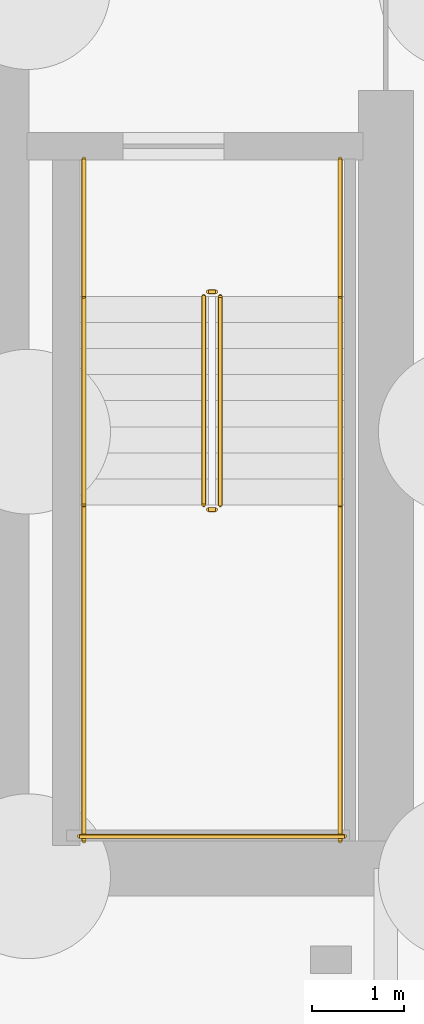
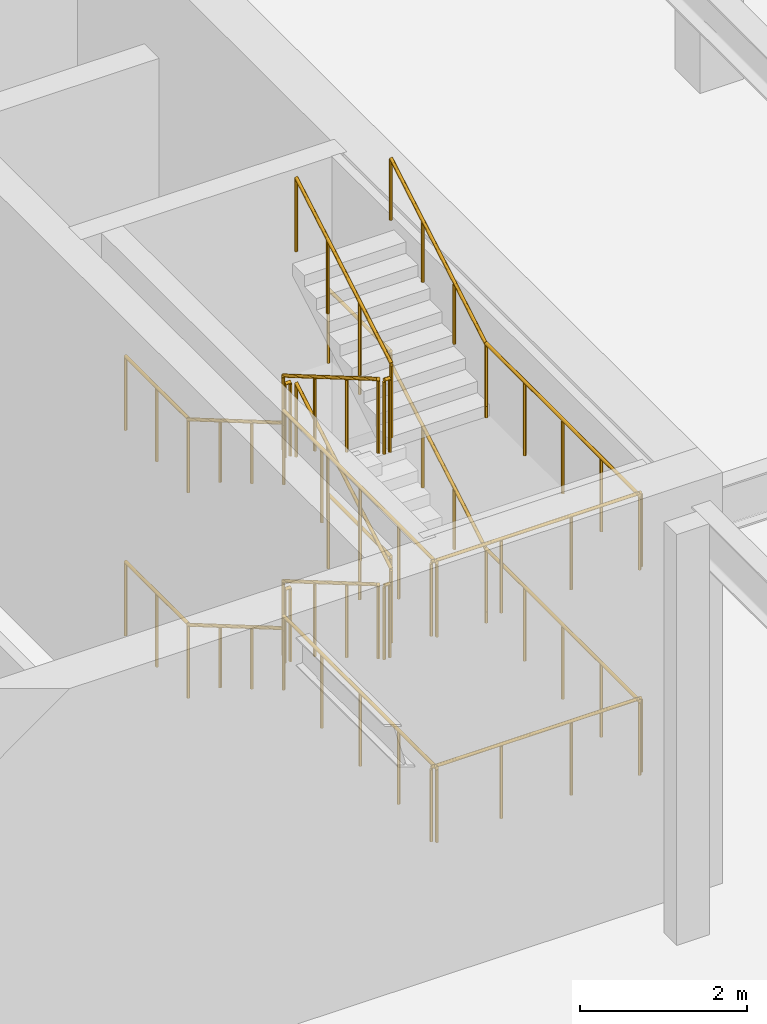
# One storey, part 9 of 12: 22 railings.
"""IFC4 building model written with IfcOpenShell, lengths in metres."""

import ifcopenshell
import ifcopenshell.guid

model = None  # the IFC model being written
_history = None  # IfcOwnerHistory: only IFC2X3 demands one
_inside = {}  # id of a spatial element -> (the spatial element, [elements in it])
_under = {}  # id of a project, library or spatial element -> (it, [spatial elements below it])
_declared = {}  # id of a project -> (the project, [libraries it declares])
_typed = {}  # id of a type object -> (the type object, [elements of that type])
_made_of = {}  # id of a material, layer set ... -> (it, [elements and type objects made of it])


def new_model(schema):
    """Start an empty IFC model of exactly this schema.

    Asked for "IFC4X3", IfcOpenShell would pick the latest addendum, in which some entities
    have other attributes; the version numbers below select the first issue.
    IFC2X3 requires an IfcOwnerHistory on every rooted entity: one is made here for all.
    """
    global model, _history
    if schema == "IFC4X3":
        model = ifcopenshell.file(schema_version=(4, 3, 0, 0))
    else:
        model = ifcopenshell.file(schema=schema)
    _inside.clear()
    _under.clear()
    _declared.clear()
    _typed.clear()
    _made_of.clear()
    _history = None
    if model.schema == "IFC2X3":
        org = make("IfcOrganization", Name="unknown")
        user = make(
            "IfcPersonAndOrganization",
            ThePerson=make("IfcPerson", FamilyName="unknown"),
            TheOrganization=org,
        )
        app = make(
            "IfcApplication",
            ApplicationDeveloper=org,
            Version="unknown",
            ApplicationFullName="unknown",
            ApplicationIdentifier="unknown",
        )
        _history = make(
            "IfcOwnerHistory",
            OwningUser=user,
            OwningApplication=app,
            ChangeAction="ADDED",
            CreationDate=0,
        )
    return model


def make(cls, **values):
    """One entity of the class cls with the attributes given. An attribute that is None is left unset."""
    return model.create_entity(
        cls, **{name: value for name, value in values.items() if value is not None}
    )


def rooted(cls, **values):
    """An entity with a GlobalId (a new one), such as an element, a storey or a relation."""
    return make(cls, GlobalId=ifcopenshell.guid.new(), OwnerHistory=_history, **values)


def si_unit(unit_type, name, prefix=None):
    """IfcSIUnit, for example si_unit("LENGTHUNIT", "METRE", prefix="MILLI")."""
    return make("IfcSIUnit", UnitType=unit_type, Prefix=prefix, Name=name)


def assignment(units):
    """IfcUnitAssignment: the units of a project."""
    return None if units is None else make("IfcUnitAssignment", Units=units)


def point(xyz):
    """IfcCartesianPoint."""
    return None if xyz is None else make("IfcCartesianPoint", Coordinates=xyz)


def direction(xyz):
    """IfcDirection."""
    return None if xyz is None else make("IfcDirection", DirectionRatios=xyz)


def frame(location, z_axis=None, x_axis=None):
    """IfcAxis2Placement3D, a coordinate frame: its origin and axes. An axis left out is left unset."""
    return make(
        "IfcAxis2Placement3D",
        Location=point(location),
        Axis=direction(z_axis),
        RefDirection=direction(x_axis),
    )


def frame_2d(location, x_axis=None):
    """IfcAxis2Placement2D, a coordinate frame in the plane: its origin and x axis."""
    return make(
        "IfcAxis2Placement2D", Location=point(location), RefDirection=direction(x_axis)
    )


def origin():
    """The frame at (0, 0, 0) with its axes left unset."""
    return frame((0.0, 0.0, 0.0))


def origin_2d():
    """The frame at (0, 0) in the plane with its x axis left unset."""
    return frame_2d((0.0, 0.0))


def place(relative_to, where):
    """IfcLocalPlacement: puts the frame where relative to a parent placement (None: the world)."""
    return make(
        "IfcLocalPlacement", PlacementRelTo=relative_to, RelativePlacement=where
    )


def context(
    kind, dimensions, precision=None, world=None, true_north=None, identifier=None
):
    """IfcGeometricRepresentationContext, for example the 3D "Model" context."""
    return make(
        "IfcGeometricRepresentationContext",
        ContextIdentifier=identifier,
        ContextType=kind,
        CoordinateSpaceDimension=dimensions,
        Precision=precision,
        WorldCoordinateSystem=world,
        TrueNorth=true_north,
    )


def subcontext(parent, identifier, kind, view, scale=None):
    """IfcGeometricRepresentationSubContext, for example "Body" below "Model"."""
    return make(
        "IfcGeometricRepresentationSubContext",
        ContextIdentifier=identifier,
        ContextType=kind,
        ParentContext=parent,
        TargetScale=scale,
        TargetView=view,
    )


def project(units=None, contexts=None):
    """IfcProject with its units and contexts."""
    return rooted(
        "IfcProject",
        Name="project",
        RepresentationContexts=contexts,
        UnitsInContext=assignment(units),
    )


def spatial(cls, under=None, at=None, **own):
    """A site, building, storey or space (cls), placed at a placement, below another one or the project."""
    s = rooted(cls, ObjectPlacement=at, **own)
    if under is not None:
        _under.setdefault(under.id(), (under, []))[1].append(s)
    return s


def profile(cls, at=None, kind="AREA", **sizes):
    """A parametric profile (cls). Its sizes go by their IFC names, for example OverallWidth=200.0."""
    return make(cls, ProfileType=kind, Position=at, **sizes)


def circle(**sizes):
    """IfcCircleProfileDef."""
    return profile("IfcCircleProfileDef", **sizes)


def extrude(swept, where, along, depth):
    """IfcExtrudedAreaSolid: the profile swept, set in the frame where, extruded along a direction by depth."""
    return make(
        "IfcExtrudedAreaSolid",
        SweptArea=swept,
        Position=where,
        ExtrudedDirection=direction(along),
        Depth=depth,
    )


def shape(context_of_items, identifier, shape_type, items):
    """IfcShapeRepresentation: the items that make up one representation, for example the "Body"."""
    return make(
        "IfcShapeRepresentation",
        ContextOfItems=context_of_items,
        RepresentationIdentifier=identifier,
        RepresentationType=shape_type,
        Items=items,
    )


def material(Name=None, Category=None):
    """IfcMaterial."""
    return make("IfcMaterial", Name=Name, Category=Category)


def made_of(thing, what):
    """Note that an element or type object is made of a material, layer set ...; save() writes the relation."""
    if what is not None:
        _made_of.setdefault(what.id(), (what, []))[1].append(thing)
    return thing


def type_object(cls, material=None, **own):
    """A type object (cls), such as IfcWallType, which elements share."""
    return made_of(rooted(cls, **own), material)


def element(
    cls,
    number,
    at=None,
    inside=None,
    cuts=None,
    type_object=None,
    material=None,
    context=None,
    identifier="Body",
    shape_type=None,
    held_by="IfcProductDefinitionShape",
    body=None,
    shapes=None,
    **own,
):
    """One element of the class cls, such as IfcWall. Its Tag is "e" and its number.

    at: its placement. inside: the storey or other place that contains it. cuts: it is an
    opening in that element (IfcRelVoidsElement). A single representation is given by context,
    identifier, shape_type and body (its items); several are given by shapes. held_by: the class
    of the entity that holds the representations. save() writes the other relations.
    """
    e = rooted(cls, Tag="e%d" % number, ObjectPlacement=at, **own)
    if body is not None:
        shapes = [shape(context, identifier, shape_type, body)]
    if shapes is not None:
        e.Representation = make(held_by, Representations=shapes)
    if inside is not None:
        _inside.setdefault(inside.id(), (inside, []))[1].append(e)
    if cuts is not None:
        rooted(
            "IfcRelVoidsElement", RelatingBuildingElement=cuts, RelatedOpeningElement=e
        )
    if type_object is not None:
        _typed.setdefault(type_object.id(), (type_object, []))[1].append(e)
    return made_of(e, material)


def aggregate(whole, parts):
    """IfcRelAggregates: a whole, such as a stair, and the parts it consists of."""
    return rooted("IfcRelAggregates", RelatingObject=whole, RelatedObjects=parts)


def save(model, path):
    """Write the relations noted so far, then the file.

    IfcRelAggregates (storeys below a building ...), IfcRelContainedInSpatialStructure (elements
    in a storey), IfcRelDefinesByType, IfcRelAssociatesMaterial and IfcRelDeclares: one each for
    every whole, place, type object, material and project.
    """
    for whole, parts in _under.values():
        aggregate(whole, parts)
    for where, things in _inside.values():
        rooted(
            "IfcRelContainedInSpatialStructure",
            RelatedElements=things,
            RelatingStructure=where,
        )
    for kind, things in _typed.values():
        rooted("IfcRelDefinesByType", RelatedObjects=things, RelatingType=kind)
    for what, things in _made_of.values():
        rooted("IfcRelAssociatesMaterial", RelatedObjects=things, RelatingMaterial=what)
    for by, libraries in _declared.values():
        rooted("IfcRelDeclares", RelatingContext=by, RelatedDefinitions=libraries)
    model.write(path)


model = new_model("IFC4")

# Units and contexts
model_context = context("Model", 3, precision=1e-05, world=origin(), true_north=direction((0.0, 1.0)))
body_context = subcontext(model_context, "Body", "Model", "MODEL_VIEW")
ifc_project = project(units=[si_unit("LENGTHUNIT", "METRE"), si_unit("AREAUNIT", "SQUARE_METRE"), si_unit("VOLUMEUNIT", "CUBIC_METRE"), si_unit("PLANEANGLEUNIT", "RADIAN"), si_unit("MASSUNIT", "GRAM", prefix="KILO")], contexts=[model_context])

# Site, building, storey
site_placement = place(None, origin())
site = spatial("IfcSite", under=ifc_project, at=site_placement, CompositionType="ELEMENT")
building_placement = place(site_placement, origin())
building = spatial("IfcBuilding", under=site, at=building_placement, Name="Bramvorn Convention Spire", CompositionType="ELEMENT")
storey_placement = place(building_placement, frame((0.0, 0.0, -6.0)))
storey = spatial("IfcBuildingStorey", under=building, at=storey_placement, Name="B1", CompositionType="ELEMENT", Elevation=-6.0)

# Railings
ifc_material_1 = material(Name="Painted Steel Balustrade & Guardrail", Category="steel")
railing_type_1 = type_object("IfcRailingType", Name="RL-STAIR-GUARD-1100", PredefinedType="GUARDRAIL", material=ifc_material_1)
railing_1_placement = place(storey_placement, frame((47.010009765625, 25.050048828125, 0.166748046875)))
element("IfcRailing", 1, at=railing_1_placement, inside=storey, type_object=railing_type_1, Name="B1 ST2 stair guard 1", PredefinedType="GUARDRAIL", context=body_context, shape_type="SweptSolid", body=[
    extrude(circle(Radius=0.02392578125, at=origin_2d()), frame((0.0, 0.0, 1.076171875), z_axis=(0.0, -0.863245362884, 0.504784551527), x_axis=(1.0, 0.0, 0.0)), (0.0, 0.0, 1.0), 2.64111328125),
    extrude(circle(Radius=0.02099609375, at=origin_2d()), origin(), (0.0, 0.0, 1.0), 1.052001953125),
    extrude(circle(Radius=0.02099609375, at=origin_2d()), frame((0.0, -0.760009765625, 0.4443359375)), (0.0, 0.0, 1.0), 1.052001953125),
    extrude(circle(Radius=0.02099609375, at=origin_2d()), frame((0.0, -1.52001953125, 0.888916015625)), (0.0, 0.0, 1.0), 1.052001953125),
    extrude(circle(Radius=0.02099609375, at=origin_2d()), frame((0.0, -2.280029296875, 1.333251953125)), (0.0, 0.0, 1.0), 1.052001953125),
])
railing_2_placement = place(storey_placement, frame((47.06005859375, 22.719970703125, 1.5)))
element("IfcRailing", 2, at=railing_2_placement, inside=storey, type_object=railing_type_1, Name="B1 ST2 stair guard 2", PredefinedType="GUARDRAIL", context=body_context, shape_type="SweptSolid", body=[
    extrude(circle(Radius=0.02392578125, at=origin_2d()), frame((0.0, 0.0, 1.076171875), z_axis=(1.0, 0.0, 0.0), x_axis=(0.0, 1.0, 0.0)), (0.0, 0.0, 1.0), 0.079833984375),
    extrude(circle(Radius=0.02099609375, at=origin_2d()), origin(), (0.0, 0.0, 1.0), 1.052001953125),
    extrude(circle(Radius=0.02099609375, at=origin_2d()), frame((0.079833984375, 0.0, 0.0)), (0.0, 0.0, 1.0), 1.052001953125),
])
for number, where, name in (
    (3, (45.699951171875, 22.77001953125, 1.5), "B1 ST2 stair guard 3"),
    (4, (48.5, 22.77001953125, 1.5), "B1 ST2 stair guard 4"),
):
    element("IfcRailing", number, at=place(storey_placement, frame(where)), inside=storey, type_object=railing_type_1, Name=name, PredefinedType="GUARDRAIL", context=body_context, shape_type="SweptSolid", body=[
        extrude(circle(Radius=0.02392578125, at=origin_2d()), frame((0.0, 0.0, 1.076171875), z_axis=(0.0, -1.0, 0.0), x_axis=(1.0, 0.0, 0.0)), (0.0, 0.0, 1.0), 3.669921875),
        extrude(circle(Radius=0.02099609375, at=origin_2d()), origin(), (0.0, 0.0, 1.0), 1.052001953125),
        extrude(circle(Radius=0.02099609375, at=origin_2d()), frame((0.0, -0.91748046875, 0.0)), (0.0, 0.0, 1.0), 1.052001953125),
        extrude(circle(Radius=0.02099609375, at=origin_2d()), frame((0.0, -1.8349609375, 0.0)), (0.0, 0.0, 1.0), 1.052001953125),
        extrude(circle(Radius=0.02099609375, at=origin_2d()), frame((0.0, -2.75244140625, 0.0)), (0.0, 0.0, 1.0), 1.052001953125),
        extrude(circle(Radius=0.02099609375, at=origin_2d()), frame((0.0, -3.669921875, 0.0)), (0.0, 0.0, 1.0), 1.052001953125),
    ])
railing_3_placement = place(storey_placement, frame((45.64990234375, 19.14990234375, 1.5)))
element("IfcRailing", 5, at=railing_3_placement, inside=storey, type_object=railing_type_1, Name="B1 ST2 stair guard 5", PredefinedType="GUARDRAIL", context=body_context, shape_type="SweptSolid", body=[
    extrude(circle(Radius=0.02392578125, at=origin_2d()), frame((0.0, 0.0, 1.076171875), z_axis=(1.0, 0.0, 0.0), x_axis=(0.0, 1.0, 0.0)), (0.0, 0.0, 1.0), 2.900146484375),
    extrude(circle(Radius=0.02099609375, at=origin_2d()), origin(), (0.0, 0.0, 1.0), 1.052001953125),
    extrude(circle(Radius=0.02099609375, at=origin_2d()), frame((0.966796875, 0.0, 0.0)), (0.0, 0.0, 1.0), 1.052001953125),
    extrude(circle(Radius=0.02099609375, at=origin_2d()), frame((1.933349609375, 0.0, 0.0)), (0.0, 0.0, 1.0), 1.052001953125),
    extrude(circle(Radius=0.02099609375, at=origin_2d()), frame((2.900146484375, 0.0, 0.0)), (0.0, 0.0, 1.0), 1.052001953125),
])
railing_4_placement = place(storey_placement, frame((47.18994140625, 22.77001953125, 1.666748046875)))
element("IfcRailing", 6, at=railing_4_placement, inside=storey, type_object=railing_type_1, Name="B1 ST2 stair guard 6", PredefinedType="GUARDRAIL", context=body_context, shape_type="SweptSolid", body=[
    extrude(circle(Radius=0.02392578125, at=origin_2d()), frame((0.0, 0.0, 1.076171875), z_axis=(0.0, 0.863245362884, 0.504784551527), x_axis=(-1.0, 0.0, 0.0)), (0.0, 0.0, 1.0), 2.64111328125),
    extrude(circle(Radius=0.02099609375, at=origin_2d()), origin(), (0.0, 0.0, 1.0), 1.052001953125),
    extrude(circle(Radius=0.02099609375, at=origin_2d()), frame((0.0, 0.760009765625, 0.4443359375)), (0.0, 0.0, 1.0), 1.052001953125),
    extrude(circle(Radius=0.02099609375, at=origin_2d()), frame((0.0, 1.52001953125, 0.888916015625)), (0.0, 0.0, 1.0), 1.052001953125),
    extrude(circle(Radius=0.02099609375, at=origin_2d()), frame((0.0, 2.280029296875, 1.333251953125)), (0.0, 0.0, 1.0), 1.052001953125),
])
railing_5_placement = place(storey_placement, frame((47.06005859375, 25.10009765625, 3.0)))
element("IfcRailing", 7, at=railing_5_placement, inside=storey, type_object=railing_type_1, Name="B1 ST2 stair guard 7", PredefinedType="GUARDRAIL", context=body_context, shape_type="SweptSolid", body=[
    extrude(circle(Radius=0.02392578125, at=origin_2d()), frame((0.0, 0.0, 1.076171875), z_axis=(1.0, 0.0, 0.0), x_axis=(0.0, 1.0, 0.0)), (0.0, 0.0, 1.0), 0.079833984375),
    extrude(circle(Radius=0.02099609375, at=origin_2d()), origin(), (0.0, 0.0, 1.0), 1.052001953125),
    extrude(circle(Radius=0.02099609375, at=origin_2d()), frame((0.079833984375, 0.0, 0.0)), (0.0, 0.0, 1.0), 1.052001953125),
])
for number, where, name in (
    (8, (45.699951171875, 26.550048828125, 3.0), "B1 ST2 stair guard 8"),
    (9, (48.5, 26.550048828125, 3.0), "B1 ST2 stair guard 9"),
):
    element("IfcRailing", number, at=place(storey_placement, frame(where)), inside=storey, type_object=railing_type_1, Name=name, PredefinedType="GUARDRAIL", context=body_context, shape_type="SweptSolid", body=[
        extrude(circle(Radius=0.02392578125, at=origin_2d()), frame((0.0, 0.0, 1.076171875), z_axis=(0.0, -1.0, 0.0), x_axis=(1.0, 0.0, 0.0)), (0.0, 0.0, 1.0), 1.5),
        extrude(circle(Radius=0.02099609375, at=origin_2d()), origin(), (0.0, 0.0, 1.0), 1.052001953125),
        extrude(circle(Radius=0.02099609375, at=origin_2d()), frame((0.0, -0.75, 0.0)), (0.0, 0.0, 1.0), 1.052001953125),
        extrude(circle(Radius=0.02099609375, at=origin_2d()), frame((0.0, -1.5, 0.0)), (0.0, 0.0, 1.0), 1.052001953125),
    ])
railing_6_placement = place(storey_placement, frame((47.010009765625, 25.050048828125, 3.166748046875)))
element("IfcRailing", 10, at=railing_6_placement, inside=storey, type_object=railing_type_1, Name="B1 ST2 stair guard 10", PredefinedType="GUARDRAIL", context=body_context, shape_type="SweptSolid", body=[
    extrude(circle(Radius=0.02392578125, at=origin_2d()), frame((0.0, 0.0, 1.076171875), z_axis=(0.0, -0.863245362884, 0.504784551527), x_axis=(1.0, 0.0, 0.0)), (0.0, 0.0, 1.0), 2.64111328125),
    extrude(circle(Radius=0.02099609375, at=origin_2d()), origin(), (0.0, 0.0, 1.0), 1.052001953125),
    extrude(circle(Radius=0.02099609375, at=origin_2d()), frame((0.0, -0.760009765625, 0.4443359375)), (0.0, 0.0, 1.0), 1.052001953125),
    extrude(circle(Radius=0.02099609375, at=origin_2d()), frame((0.0, -1.52001953125, 0.888916015625)), (0.0, 0.0, 1.0), 1.052001953125),
    extrude(circle(Radius=0.02099609375, at=origin_2d()), frame((0.0, -2.280029296875, 1.333251953125)), (0.0, 0.0, 1.0), 1.052001953125),
])
railing_7_placement = place(storey_placement, frame((47.06005859375, 22.719970703125, 4.5)))
element("IfcRailing", 11, at=railing_7_placement, inside=storey, type_object=railing_type_1, Name="B1 ST2 stair guard 11", PredefinedType="GUARDRAIL", context=body_context, shape_type="SweptSolid", body=[
    extrude(circle(Radius=0.02392578125, at=origin_2d()), frame((0.0, 0.0, 1.076171875), z_axis=(1.0, 0.0, 0.0), x_axis=(0.0, 1.0, 0.0)), (0.0, 0.0, 1.0), 0.079833984375),
    extrude(circle(Radius=0.02099609375, at=origin_2d()), origin(), (0.0, 0.0, 1.0), 1.052001953125),
    extrude(circle(Radius=0.02099609375, at=origin_2d()), frame((0.079833984375, 0.0, 0.0)), (0.0, 0.0, 1.0), 1.052001953125),
])
for number, where, name in (
    (12, (45.699951171875, 22.77001953125, 4.5), "B1 ST2 stair guard 12"),
    (13, (48.5, 22.77001953125, 4.5), "B1 ST2 stair guard 13"),
):
    element("IfcRailing", number, at=place(storey_placement, frame(where)), inside=storey, type_object=railing_type_1, Name=name, PredefinedType="GUARDRAIL", context=body_context, shape_type="SweptSolid", body=[
        extrude(circle(Radius=0.02392578125, at=origin_2d()), frame((0.0, 0.0, 1.076171875), z_axis=(0.0, -1.0, 0.0), x_axis=(1.0, 0.0, 0.0)), (0.0, 0.0, 1.0), 3.669921875),
        extrude(circle(Radius=0.02099609375, at=origin_2d()), origin(), (0.0, 0.0, 1.0), 1.052001953125),
        extrude(circle(Radius=0.02099609375, at=origin_2d()), frame((0.0, -0.91748046875, 0.0)), (0.0, 0.0, 1.0), 1.052001953125),
        extrude(circle(Radius=0.02099609375, at=origin_2d()), frame((0.0, -1.8349609375, 0.0)), (0.0, 0.0, 1.0), 1.052001953125),
        extrude(circle(Radius=0.02099609375, at=origin_2d()), frame((0.0, -2.75244140625, 0.0)), (0.0, 0.0, 1.0), 1.052001953125),
        extrude(circle(Radius=0.02099609375, at=origin_2d()), frame((0.0, -3.669921875, 0.0)), (0.0, 0.0, 1.0), 1.052001953125),
    ])
railing_8_placement = place(storey_placement, frame((45.64990234375, 19.14990234375, 4.5)))
element("IfcRailing", 14, at=railing_8_placement, inside=storey, type_object=railing_type_1, Name="B1 ST2 stair guard 14", PredefinedType="GUARDRAIL", context=body_context, shape_type="SweptSolid", body=[
    extrude(circle(Radius=0.02392578125, at=origin_2d()), frame((0.0, 0.0, 1.076171875), z_axis=(1.0, 0.0, 0.0), x_axis=(0.0, 1.0, 0.0)), (0.0, 0.0, 1.0), 2.900146484375),
    extrude(circle(Radius=0.02099609375, at=origin_2d()), origin(), (0.0, 0.0, 1.0), 1.052001953125),
    extrude(circle(Radius=0.02099609375, at=origin_2d()), frame((0.966796875, 0.0, 0.0)), (0.0, 0.0, 1.0), 1.052001953125),
    extrude(circle(Radius=0.02099609375, at=origin_2d()), frame((1.933349609375, 0.0, 0.0)), (0.0, 0.0, 1.0), 1.052001953125),
    extrude(circle(Radius=0.02099609375, at=origin_2d()), frame((2.900146484375, 0.0, 0.0)), (0.0, 0.0, 1.0), 1.052001953125),
])
railing_9_placement = place(storey_placement, frame((47.18994140625, 22.77001953125, 4.666748046875)))
element("IfcRailing", 15, at=railing_9_placement, inside=storey, type_object=railing_type_1, Name="B1 ST2 stair guard 15", PredefinedType="GUARDRAIL", context=body_context, shape_type="SweptSolid", body=[
    extrude(circle(Radius=0.02392578125, at=origin_2d()), frame((0.0, 0.0, 1.076171875), z_axis=(0.0, 0.863245362884, 0.504784551527), x_axis=(-1.0, 0.0, 0.0)), (0.0, 0.0, 1.0), 2.64111328125),
    extrude(circle(Radius=0.02099609375, at=origin_2d()), origin(), (0.0, 0.0, 1.0), 1.052001953125),
    extrude(circle(Radius=0.02099609375, at=origin_2d()), frame((0.0, 0.760009765625, 0.4443359375)), (0.0, 0.0, 1.0), 1.052001953125),
    extrude(circle(Radius=0.02099609375, at=origin_2d()), frame((0.0, 1.52001953125, 0.888916015625)), (0.0, 0.0, 1.0), 1.052001953125),
    extrude(circle(Radius=0.02099609375, at=origin_2d()), frame((0.0, 2.280029296875, 1.333251953125)), (0.0, 0.0, 1.0), 1.052001953125),
])
railing_10_placement = place(storey_placement, frame((47.06005859375, 25.10009765625, 0.0)))
element("IfcRailing", 16, at=railing_10_placement, inside=storey, type_object=railing_type_1, Name="B1 ST2 stair guard 16", PredefinedType="GUARDRAIL", context=body_context, shape_type="SweptSolid", body=[
    extrude(circle(Radius=0.02392578125, at=origin_2d()), frame((0.0, 0.0, 1.076171875), z_axis=(1.0, 0.0, 0.0), x_axis=(0.0, 1.0, 0.0)), (0.0, 0.0, 1.0), 0.079833984375),
    extrude(circle(Radius=0.02099609375, at=origin_2d()), origin(), (0.0, 0.0, 1.0), 1.052001953125),
    extrude(circle(Radius=0.02099609375, at=origin_2d()), frame((0.079833984375, 0.0, 0.0)), (0.0, 0.0, 1.0), 1.052001953125),
])
for number, where, name in (
    (17, (45.699951171875, 26.550048828125, 0.0), "B1 ST2 stair guard 17"),
    (18, (48.5, 26.550048828125, 0.0), "B1 ST2 stair guard 18"),
):
    element("IfcRailing", number, at=place(storey_placement, frame(where)), inside=storey, type_object=railing_type_1, Name=name, PredefinedType="GUARDRAIL", context=body_context, shape_type="SweptSolid", body=[
        extrude(circle(Radius=0.02392578125, at=origin_2d()), frame((0.0, 0.0, 1.076171875), z_axis=(0.0, -1.0, 0.0), x_axis=(1.0, 0.0, 0.0)), (0.0, 0.0, 1.0), 1.5),
        extrude(circle(Radius=0.02099609375, at=origin_2d()), origin(), (0.0, 0.0, 1.0), 1.052001953125),
        extrude(circle(Radius=0.02099609375, at=origin_2d()), frame((0.0, -0.75, 0.0)), (0.0, 0.0, 1.0), 1.052001953125),
        extrude(circle(Radius=0.02099609375, at=origin_2d()), frame((0.0, -1.5, 0.0)), (0.0, 0.0, 1.0), 1.052001953125),
    ])
ifc_material_2 = material(Name="Brushed Bronze Tubular Handrail", Category="aluminium")
railing_type_2 = type_object("IfcRailingType", Name="RL-STAIR-HR-920", PredefinedType="HANDRAIL", material=ifc_material_2)
railing_11_placement = place(storey_placement, frame((45.699951171875, 25.050048828125, 0.166748046875)))
element("IfcRailing", 19, at=railing_11_placement, inside=storey, type_object=railing_type_2, Name="B1 ST2 stair handrail 1", PredefinedType="HANDRAIL", context=body_context, shape_type="SweptSolid", body=[
    extrude(circle(Radius=0.02392578125, at=origin_2d()), frame((0.0, 0.0, 0.89599609375), z_axis=(0.0, -0.863245362884, 0.504784551527), x_axis=(1.0, 0.0, 0.0)), (0.0, 0.0, 1.0), 2.64111328125),
    extrude(circle(Radius=0.02099609375, at=origin_2d()), origin(), (0.0, 0.0, 1.0), 0.871826171875),
    extrude(circle(Radius=0.02099609375, at=origin_2d()), frame((0.0, -0.760009765625, 0.4443359375)), (0.0, 0.0, 1.0), 0.871826171875),
    extrude(circle(Radius=0.02099609375, at=origin_2d()), frame((0.0, -1.52001953125, 0.888916015625)), (0.0, 0.0, 1.0), 0.871826171875),
    extrude(circle(Radius=0.02099609375, at=origin_2d()), frame((0.0, -2.280029296875, 1.333251953125)), (0.0, 0.0, 1.0), 0.871826171875),
])
railing_12_placement = place(storey_placement, frame((48.5, 22.77001953125, 1.666748046875)))
element("IfcRailing", 20, at=railing_12_placement, inside=storey, type_object=railing_type_2, Name="B1 ST2 stair handrail 2", PredefinedType="HANDRAIL", context=body_context, shape_type="SweptSolid", body=[
    extrude(circle(Radius=0.02392578125, at=origin_2d()), frame((0.0, 0.0, 0.89599609375), z_axis=(0.0, 0.863245362884, 0.504784551527), x_axis=(-1.0, 0.0, 0.0)), (0.0, 0.0, 1.0), 2.64111328125),
    extrude(circle(Radius=0.02099609375, at=origin_2d()), origin(), (0.0, 0.0, 1.0), 0.871826171875),
    extrude(circle(Radius=0.02099609375, at=origin_2d()), frame((0.0, 0.760009765625, 0.4443359375)), (0.0, 0.0, 1.0), 0.871826171875),
    extrude(circle(Radius=0.02099609375, at=origin_2d()), frame((0.0, 1.52001953125, 0.888916015625)), (0.0, 0.0, 1.0), 0.871826171875),
    extrude(circle(Radius=0.02099609375, at=origin_2d()), frame((0.0, 2.280029296875, 1.333251953125)), (0.0, 0.0, 1.0), 0.871826171875),
])
railing_13_placement = place(storey_placement, frame((45.699951171875, 25.050048828125, 3.166748046875)))
element("IfcRailing", 21, at=railing_13_placement, inside=storey, type_object=railing_type_2, Name="B1 ST2 stair handrail 3", PredefinedType="HANDRAIL", context=body_context, shape_type="SweptSolid", body=[
    extrude(circle(Radius=0.02392578125, at=origin_2d()), frame((0.0, 0.0, 0.89599609375), z_axis=(0.0, -0.863245362884, 0.504784551527), x_axis=(1.0, 0.0, 0.0)), (0.0, 0.0, 1.0), 2.64111328125),
    extrude(circle(Radius=0.02099609375, at=origin_2d()), origin(), (0.0, 0.0, 1.0), 0.871826171875),
    extrude(circle(Radius=0.02099609375, at=origin_2d()), frame((0.0, -0.760009765625, 0.4443359375)), (0.0, 0.0, 1.0), 0.871826171875),
    extrude(circle(Radius=0.02099609375, at=origin_2d()), frame((0.0, -1.52001953125, 0.888916015625)), (0.0, 0.0, 1.0), 0.871826171875),
    extrude(circle(Radius=0.02099609375, at=origin_2d()), frame((0.0, -2.280029296875, 1.333251953125)), (0.0, 0.0, 1.0), 0.871826171875),
])
railing_14_placement = place(storey_placement, frame((48.5, 22.77001953125, 4.666748046875)))
element("IfcRailing", 22, at=railing_14_placement, inside=storey, type_object=railing_type_2, Name="B1 ST2 stair handrail 4", PredefinedType="HANDRAIL", context=body_context, shape_type="SweptSolid", body=[
    extrude(circle(Radius=0.02392578125, at=origin_2d()), frame((0.0, 0.0, 0.89599609375), z_axis=(0.0, 0.863245362884, 0.504784551527), x_axis=(-1.0, 0.0, 0.0)), (0.0, 0.0, 1.0), 2.64111328125),
    extrude(circle(Radius=0.02099609375, at=origin_2d()), origin(), (0.0, 0.0, 1.0), 0.871826171875),
    extrude(circle(Radius=0.02099609375, at=origin_2d()), frame((0.0, 0.760009765625, 0.4443359375)), (0.0, 0.0, 1.0), 0.871826171875),
    extrude(circle(Radius=0.02099609375, at=origin_2d()), frame((0.0, 1.52001953125, 0.888916015625)), (0.0, 0.0, 1.0), 0.871826171875),
    extrude(circle(Radius=0.02099609375, at=origin_2d()), frame((0.0, 2.280029296875, 1.333251953125)), (0.0, 0.0, 1.0), 0.871826171875),
])

save(model, "model.ifc")
